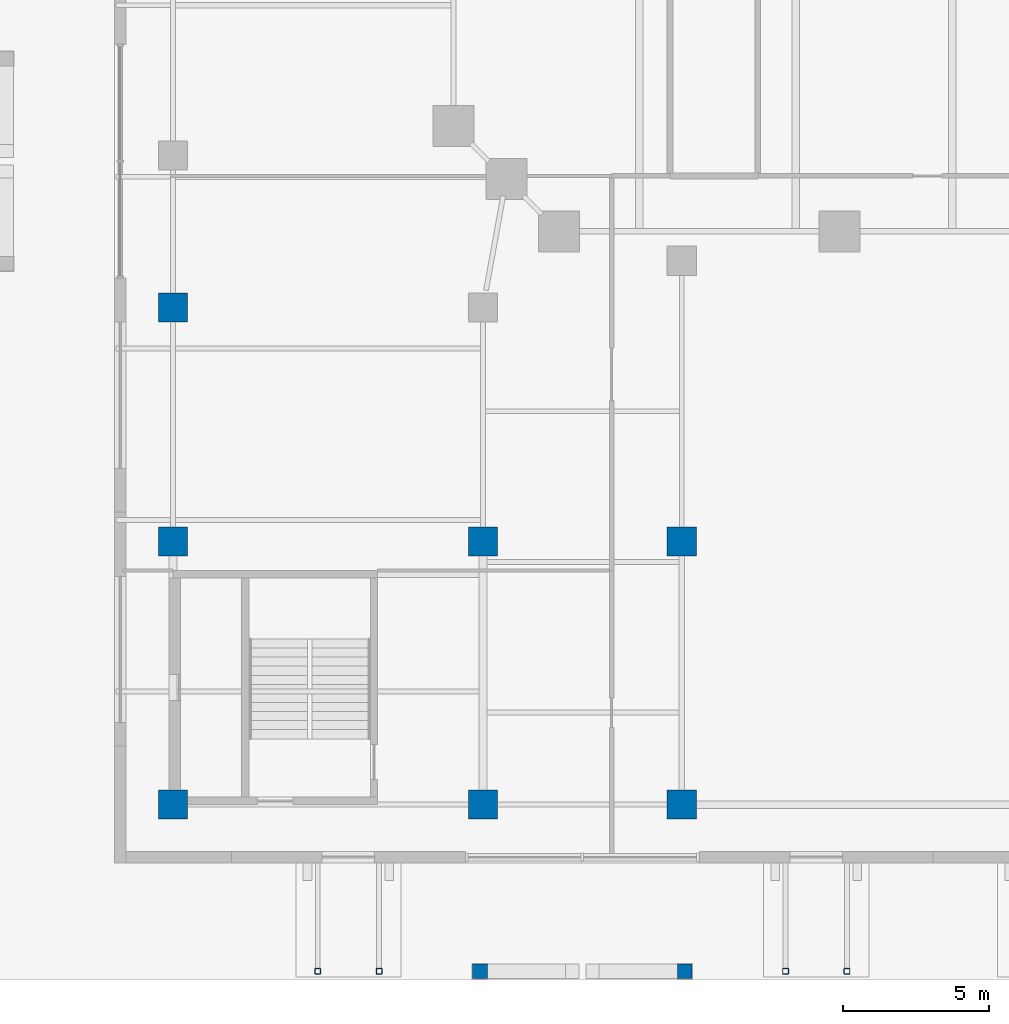
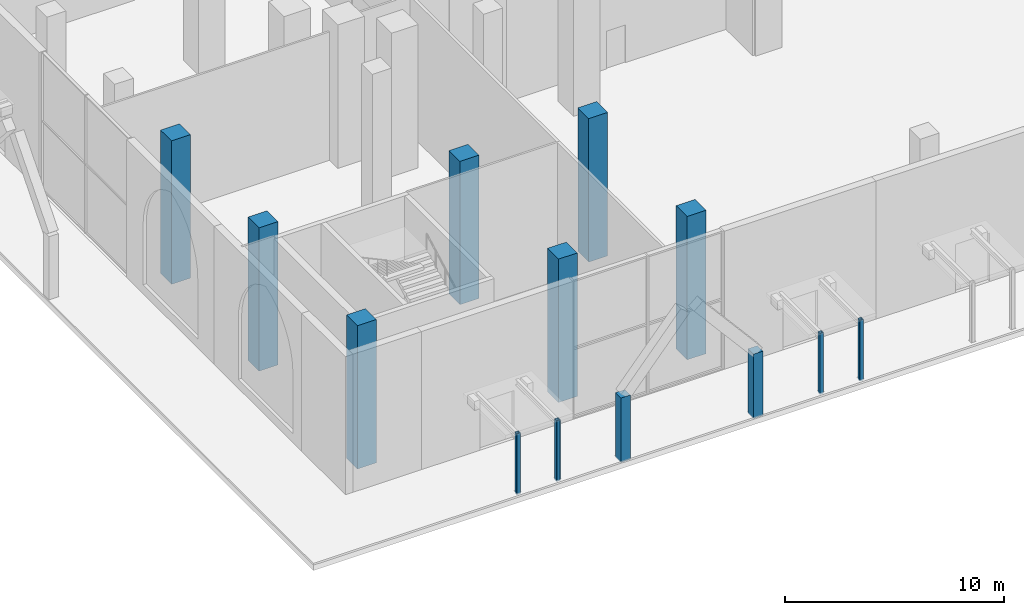
# One storey, part 1 of 38: 13 columns.
"""IFC4 building model written with IfcOpenShell, lengths in metres."""

import ifcopenshell
import ifcopenshell.guid

model = None  # the IFC model being written
_history = None  # IfcOwnerHistory: only IFC2X3 demands one
_inside = {}  # id of a spatial element -> (the spatial element, [elements in it])
_under = {}  # id of a project, library or spatial element -> (it, [spatial elements below it])
_declared = {}  # id of a project -> (the project, [libraries it declares])
_typed = {}  # id of a type object -> (the type object, [elements of that type])
_made_of = {}  # id of a material, layer set ... -> (it, [elements and type objects made of it])


def new_model(schema):
    """Start an empty IFC model of exactly this schema.

    Asked for "IFC4X3", IfcOpenShell would pick the latest addendum, in which some entities
    have other attributes; the version numbers below select the first issue.
    IFC2X3 requires an IfcOwnerHistory on every rooted entity: one is made here for all.
    """
    global model, _history
    if schema == "IFC4X3":
        model = ifcopenshell.file(schema_version=(4, 3, 0, 0))
    else:
        model = ifcopenshell.file(schema=schema)
    _inside.clear()
    _under.clear()
    _declared.clear()
    _typed.clear()
    _made_of.clear()
    _history = None
    if model.schema == "IFC2X3":
        org = make("IfcOrganization", Name="unknown")
        user = make(
            "IfcPersonAndOrganization",
            ThePerson=make("IfcPerson", FamilyName="unknown"),
            TheOrganization=org,
        )
        app = make(
            "IfcApplication",
            ApplicationDeveloper=org,
            Version="unknown",
            ApplicationFullName="unknown",
            ApplicationIdentifier="unknown",
        )
        _history = make(
            "IfcOwnerHistory",
            OwningUser=user,
            OwningApplication=app,
            ChangeAction="ADDED",
            CreationDate=0,
        )
    return model


def make(cls, **values):
    """One entity of the class cls with the attributes given. An attribute that is None is left unset."""
    return model.create_entity(
        cls, **{name: value for name, value in values.items() if value is not None}
    )


def rooted(cls, **values):
    """An entity with a GlobalId (a new one), such as an element, a storey or a relation."""
    return make(cls, GlobalId=ifcopenshell.guid.new(), OwnerHistory=_history, **values)


def si_unit(unit_type, name, prefix=None):
    """IfcSIUnit, for example si_unit("LENGTHUNIT", "METRE", prefix="MILLI")."""
    return make("IfcSIUnit", UnitType=unit_type, Prefix=prefix, Name=name)


def assignment(units):
    """IfcUnitAssignment: the units of a project."""
    return None if units is None else make("IfcUnitAssignment", Units=units)


def point(xyz):
    """IfcCartesianPoint."""
    return None if xyz is None else make("IfcCartesianPoint", Coordinates=xyz)


def direction(xyz):
    """IfcDirection."""
    return None if xyz is None else make("IfcDirection", DirectionRatios=xyz)


def frame(location, z_axis=None, x_axis=None):
    """IfcAxis2Placement3D, a coordinate frame: its origin and axes. An axis left out is left unset."""
    return make(
        "IfcAxis2Placement3D",
        Location=point(location),
        Axis=direction(z_axis),
        RefDirection=direction(x_axis),
    )


def frame_2d(location, x_axis=None):
    """IfcAxis2Placement2D, a coordinate frame in the plane: its origin and x axis."""
    return make(
        "IfcAxis2Placement2D", Location=point(location), RefDirection=direction(x_axis)
    )


def origin():
    """The frame at (0, 0, 0) with its axes left unset."""
    return frame((0.0, 0.0, 0.0))


def origin_2d():
    """The frame at (0, 0) in the plane with its x axis left unset."""
    return frame_2d((0.0, 0.0))


def place(relative_to, where):
    """IfcLocalPlacement: puts the frame where relative to a parent placement (None: the world)."""
    return make(
        "IfcLocalPlacement", PlacementRelTo=relative_to, RelativePlacement=where
    )


def context(
    kind, dimensions, precision=None, world=None, true_north=None, identifier=None
):
    """IfcGeometricRepresentationContext, for example the 3D "Model" context."""
    return make(
        "IfcGeometricRepresentationContext",
        ContextIdentifier=identifier,
        ContextType=kind,
        CoordinateSpaceDimension=dimensions,
        Precision=precision,
        WorldCoordinateSystem=world,
        TrueNorth=true_north,
    )


def subcontext(parent, identifier, kind, view, scale=None):
    """IfcGeometricRepresentationSubContext, for example "Body" below "Model"."""
    return make(
        "IfcGeometricRepresentationSubContext",
        ContextIdentifier=identifier,
        ContextType=kind,
        ParentContext=parent,
        TargetScale=scale,
        TargetView=view,
    )


def project(units=None, contexts=None):
    """IfcProject with its units and contexts."""
    return rooted(
        "IfcProject",
        Name="project",
        RepresentationContexts=contexts,
        UnitsInContext=assignment(units),
    )


def spatial(cls, under=None, at=None, **own):
    """A site, building, storey or space (cls), placed at a placement, below another one or the project."""
    s = rooted(cls, ObjectPlacement=at, **own)
    if under is not None:
        _under.setdefault(under.id(), (under, []))[1].append(s)
    return s


def profile(cls, at=None, kind="AREA", **sizes):
    """A parametric profile (cls). Its sizes go by their IFC names, for example OverallWidth=200.0."""
    return make(cls, ProfileType=kind, Position=at, **sizes)


def rectangle(**sizes):
    """IfcRectangleProfileDef."""
    return profile("IfcRectangleProfileDef", **sizes)


def hollow_rectangle(**sizes):
    """IfcRectangleHollowProfileDef."""
    return profile("IfcRectangleHollowProfileDef", **sizes)


def extrude(swept, where, along, depth):
    """IfcExtrudedAreaSolid: the profile swept, set in the frame where, extruded along a direction by depth."""
    return make(
        "IfcExtrudedAreaSolid",
        SweptArea=swept,
        Position=where,
        ExtrudedDirection=direction(along),
        Depth=depth,
    )


def shape(context_of_items, identifier, shape_type, items):
    """IfcShapeRepresentation: the items that make up one representation, for example the "Body"."""
    return make(
        "IfcShapeRepresentation",
        ContextOfItems=context_of_items,
        RepresentationIdentifier=identifier,
        RepresentationType=shape_type,
        Items=items,
    )


def material(Name=None, Category=None):
    """IfcMaterial."""
    return make("IfcMaterial", Name=Name, Category=Category)


def material_profile(
    of_material, cross_section, Name=None, Category=None, Priority=None
):
    """IfcMaterialProfile: a cross section and its material."""
    return make(
        "IfcMaterialProfile",
        Name=Name,
        Material=of_material,
        Profile=cross_section,
        Priority=Priority,
        Category=Category,
    )


def profile_set(profiles, Name=None, composite=None):
    """IfcMaterialProfileSet."""
    return make(
        "IfcMaterialProfileSet",
        Name=Name,
        MaterialProfiles=profiles,
        CompositeProfile=composite,
    )


def made_of(thing, what):
    """Note that an element or type object is made of a material, layer set ...; save() writes the relation."""
    if what is not None:
        _made_of.setdefault(what.id(), (what, []))[1].append(thing)
    return thing


def type_object(cls, material=None, **own):
    """A type object (cls), such as IfcWallType, which elements share."""
    return made_of(rooted(cls, **own), material)


def element(
    cls,
    number,
    at=None,
    inside=None,
    cuts=None,
    type_object=None,
    material=None,
    context=None,
    identifier="Body",
    shape_type=None,
    held_by="IfcProductDefinitionShape",
    body=None,
    shapes=None,
    **own,
):
    """One element of the class cls, such as IfcWall. Its Tag is "e" and its number.

    at: its placement. inside: the storey or other place that contains it. cuts: it is an
    opening in that element (IfcRelVoidsElement). A single representation is given by context,
    identifier, shape_type and body (its items); several are given by shapes. held_by: the class
    of the entity that holds the representations. save() writes the other relations.
    """
    e = rooted(cls, Tag="e%d" % number, ObjectPlacement=at, **own)
    if body is not None:
        shapes = [shape(context, identifier, shape_type, body)]
    if shapes is not None:
        e.Representation = make(held_by, Representations=shapes)
    if inside is not None:
        _inside.setdefault(inside.id(), (inside, []))[1].append(e)
    if cuts is not None:
        rooted(
            "IfcRelVoidsElement", RelatingBuildingElement=cuts, RelatedOpeningElement=e
        )
    if type_object is not None:
        _typed.setdefault(type_object.id(), (type_object, []))[1].append(e)
    return made_of(e, material)


def aggregate(whole, parts):
    """IfcRelAggregates: a whole, such as a stair, and the parts it consists of."""
    return rooted("IfcRelAggregates", RelatingObject=whole, RelatedObjects=parts)


def save(model, path):
    """Write the relations noted so far, then the file.

    IfcRelAggregates (storeys below a building ...), IfcRelContainedInSpatialStructure (elements
    in a storey), IfcRelDefinesByType, IfcRelAssociatesMaterial and IfcRelDeclares: one each for
    every whole, place, type object, material and project.
    """
    for whole, parts in _under.values():
        aggregate(whole, parts)
    for where, things in _inside.values():
        rooted(
            "IfcRelContainedInSpatialStructure",
            RelatedElements=things,
            RelatingStructure=where,
        )
    for kind, things in _typed.values():
        rooted("IfcRelDefinesByType", RelatedObjects=things, RelatingType=kind)
    for what, things in _made_of.values():
        rooted("IfcRelAssociatesMaterial", RelatedObjects=things, RelatingMaterial=what)
    for by, libraries in _declared.values():
        rooted("IfcRelDeclares", RelatingContext=by, RelatedDefinitions=libraries)
    model.write(path)


model = new_model("IFC4")

# Units and contexts
model_context = context("Model", 3, precision=1e-05, world=origin(), true_north=direction((0.0, 1.0)))
body_context = subcontext(model_context, "Body", "Model", "MODEL_VIEW")
ifc_project = project(units=[si_unit("LENGTHUNIT", "METRE"), si_unit("AREAUNIT", "SQUARE_METRE"), si_unit("VOLUMEUNIT", "CUBIC_METRE"), si_unit("PLANEANGLEUNIT", "RADIAN"), si_unit("MASSUNIT", "GRAM", prefix="KILO")], contexts=[model_context])

# Site, building, storey
site_placement = place(None, origin())
site = spatial("IfcSite", under=ifc_project, at=site_placement, CompositionType="ELEMENT")
building_placement = place(site_placement, origin())
building = spatial("IfcBuilding", under=site, at=building_placement, Name="Ogive Exchange Tower", CompositionType="ELEMENT")
storey_placement = place(building_placement, origin())
storey = spatial("IfcBuildingStorey", under=building, at=storey_placement, Name="L00", CompositionType="ELEMENT", Elevation=0.0)

# Columns
ifc_material_1 = material(Name="Concrete C70/85", Category="concrete")
ifc_material_profile_1 = material_profile(ifc_material_1, rectangle(XDim=0.5, YDim=0.5, at=origin_2d()), Name="RC 500x500")
ifc_profile_set_1 = profile_set([ifc_material_profile_1], Name="Concrete C70/85")
column_type_1 = type_object("IfcColumnType", Name="Arcade pier 500x500", PredefinedType="COLUMN", material=ifc_profile_set_1)
for number, where, z_axis, x_axis, name in (
    (1, (-31.5, -55.699951171875, -0.10009765625), (0.0, 0.0, 1.0), (1.0, 0.0, 0.0), "Arcade pier"),
    (2, (-24.5, -55.699951171875, -0.10009765625), (0.0, 0.0, 1.0), (1.0, 0.0, 0.0), "Arcade pier"),
):
    element("IfcColumn", number, at=place(storey_placement, frame(where, z_axis=z_axis, x_axis=x_axis)), inside=storey, type_object=column_type_1, Name=name, PredefinedType="COLUMN", context=body_context, shape_type="SweptSolid", body=[
        extrude(rectangle(XDim=0.5, YDim=0.5, at=origin_2d()), origin(), (0.0, 0.0, 1.0), 3.60009765625),
    ])
ifc_material_2 = material(Name="Steel ASTM A1085 Gr A", Category="steel")
ifc_material_profile_2 = material_profile(ifc_material_2, hollow_rectangle(XDim=0.202880859375, YDim=0.202880859375, WallThickness=0.0126953125, InnerFilletRadius=0.0126953125, OuterFilletRadius=0.025390625, at=origin_2d()), Name="HSS203.2x203.2x12.7")
ifc_profile_set_2 = profile_set([ifc_material_profile_2], Name="Steel ASTM A1085 Gr A")
column_type_2 = type_object("IfcColumnType", Name="Canopy post HSS203.2x203.2x12.7", PredefinedType="COLUMN", material=ifc_profile_set_2)
for number, where, z_axis, x_axis, name in (
    (3, (-37.050048828125, -55.699951171875, -0.10009765625), (0.0, 0.0, 1.0), (1.0, 0.0, 0.0), "Canopy post"),
    (4, (-34.949951171875, -55.699951171875, -0.10009765625), (0.0, 0.0, 1.0), (1.0, 0.0, 0.0), "Canopy post"),
    (5, (-21.050048828125, -55.699951171875, -0.10009765625), (0.0, 0.0, 1.0), (1.0, 0.0, 0.0), "Canopy post"),
    (6, (-18.949951171875, -55.699951171875, -0.10009765625), (0.0, 0.0, 1.0), (1.0, 0.0, 0.0), "Canopy post"),
):
    element("IfcColumn", number, at=place(storey_placement, frame(where, z_axis=z_axis, x_axis=x_axis)), inside=storey, type_object=column_type_2, Name=name, PredefinedType="COLUMN", context=body_context, shape_type="SweptSolid", body=[
        extrude(hollow_rectangle(XDim=0.202880859375, YDim=0.202880859375, WallThickness=0.0126953125, InnerFilletRadius=0.0126953125, OuterFilletRadius=0.025390625, at=origin_2d()), origin(), (0.0, 0.0, 1.0), 3.400146484375),
    ])
ifc_material_profile_3 = material_profile(ifc_material_1, rectangle(XDim=1.0, YDim=1.0, at=origin_2d()), Name="RC 1000x1000")
ifc_profile_set_3 = profile_set([ifc_material_profile_3], Name="Concrete C70/85")
column_type_3 = type_object("IfcColumnType", Name="RC column 1000x1000", PredefinedType="COLUMN", material=ifc_profile_set_3)
for number, where, z_axis, x_axis, name in (
    (7, (-42.0, -50.0, 0.0), (0.0, 0.0, 1.0), (1.0, 0.0, 0.0), "Podium column"),
    (8, (-31.39990234375, -50.0, 0.0), (0.0, 0.0, 1.0), (1.0, 0.0, 0.0), "Podium column"),
    (9, (-24.60009765625, -50.0, 0.0), (0.0, 0.0, 1.0), (1.0, 0.0, 0.0), "Podium column"),
    (10, (-42.0, -41.0, 0.0), (0.0, 0.0, 1.0), (1.0, 0.0, 0.0), "Podium column"),
    (11, (-31.39990234375, -41.0, 0.0), (0.0, 0.0, 1.0), (1.0, 0.0, 0.0), "Podium column"),
    (12, (-24.60009765625, -41.0, 0.0), (0.0, 0.0, 1.0), (1.0, 0.0, 0.0), "Podium column"),
    (13, (-42.0, -33.0, 0.0), (0.0, 0.0, 1.0), (1.0, 0.0, 0.0), "Podium column"),
):
    element("IfcColumn", number, at=place(storey_placement, frame(where, z_axis=z_axis, x_axis=x_axis)), inside=storey, type_object=column_type_3, Name=name, PredefinedType="COLUMN", context=body_context, shape_type="SweptSolid", body=[
        extrude(rectangle(XDim=1.0, YDim=1.0, at=origin_2d()), origin(), (0.0, 0.0, 1.0), 8.0),
    ])

save(model, "model.ifc")
